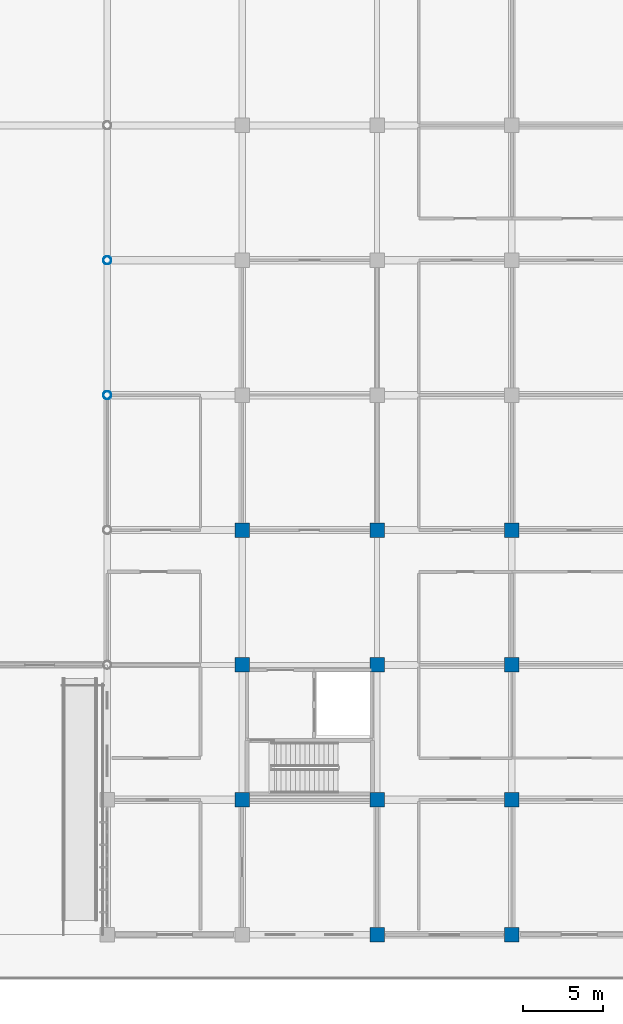
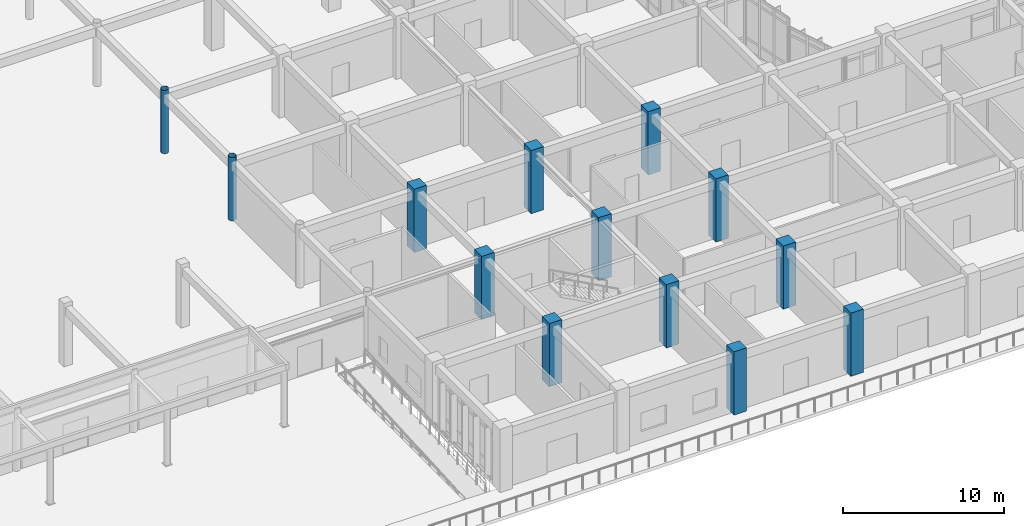
# One storey, part 6 of 138: 13 columns.
"""IFC4 building model written with IfcOpenShell, lengths in metres."""

from ifc_helpers import new_model, si_unit, direction, frame, origin, origin_2d, place, context, subcontext, project, spatial, rectangle, hollow_circle, extrude, material, material_profile, profile_set, type_object, element, save


model = new_model("IFC4")

# Units and contexts
model_context = context("Model", 3, precision=1e-05, world=origin(), true_north=direction((0.0, 1.0)))
body_context = subcontext(model_context, "Body", "Model", "MODEL_VIEW")
ifc_project = project(units=[si_unit("LENGTHUNIT", "METRE"), si_unit("AREAUNIT", "SQUARE_METRE"), si_unit("VOLUMEUNIT", "CUBIC_METRE"), si_unit("PLANEANGLEUNIT", "RADIAN"), si_unit("MASSUNIT", "GRAM", prefix="KILO")], contexts=[model_context])

# Site, building, storey
site_placement = place(None, origin())
site = spatial("IfcSite", under=ifc_project, at=site_placement, CompositionType="ELEMENT")
building_placement = place(site_placement, origin())
building = spatial("IfcBuilding", under=site, at=building_placement, Name="Bramfleet General Hospital", CompositionType="ELEMENT")
storey_placement = place(building_placement, origin())
storey = spatial("IfcBuildingStorey", under=building, at=storey_placement, Name="L00", CompositionType="ELEMENT", Elevation=0.0)

# Columns
ifc_material_1 = material(Name="Steel S355", Category="steel")
ifc_material_profile_1 = material_profile(ifc_material_1, hollow_circle(Radius=0.25390625, WallThickness=0.02001953125, at=origin_2d()), Name="CHS 508.0x20.0")
ifc_profile_set_1 = profile_set([ifc_material_profile_1], Name="Steel S355")
column_type_1 = type_object("IfcColumnType", Name="COL-CHS508", PredefinedType="COLUMN", material=ifc_profile_set_1)
for number, where, z_axis, x_axis, name in (
    (1, (92.39990234375, 33.60009765625, 0.0), (0.0, 0.0, 1.0), (1.0, 0.0, 0.0), "Column COL-L00-11-04"),
    (2, (92.39990234375, 42.0, 0.0), (0.0, 0.0, 1.0), (1.0, 0.0, 0.0), "Column COL-L00-11-05"),
):
    element("IfcColumn", number, at=place(storey_placement, frame(where, z_axis=z_axis, x_axis=x_axis)), inside=storey, type_object=column_type_1, Name=name, PredefinedType="COLUMN", context=body_context, shape_type="SweptSolid", body=[
        extrude(hollow_circle(Radius=0.25390625, WallThickness=0.02001953125, at=origin_2d()), origin(), (0.0, 0.0, 1.0), 4.800048828125),
    ])
ifc_material_2 = material(Name="Concrete C40/50", Category="concrete")
ifc_material_profile_2 = material_profile(ifc_material_2, rectangle(XDim=0.89990234375, YDim=0.89990234375, at=origin_2d()), Name="RC COL 900x900")
ifc_profile_set_2 = profile_set([ifc_material_profile_2], Name="Concrete C40/50")
column_type_2 = type_object("IfcColumnType", Name="COL-RC900", PredefinedType="COLUMN", material=ifc_profile_set_2)
for number, where, z_axis, x_axis, name in (
    (3, (100.800048828125, 8.39990234375, 0.0), (0.0, 0.0, 1.0), (1.0, 0.0, 0.0), "Column COL-L00-12-01"),
    (4, (100.800048828125, 16.800048828125, 0.0), (0.0, 0.0, 1.0), (1.0, 0.0, 0.0), "Column COL-L00-12-02"),
    (5, (100.800048828125, 25.199951171875, 0.0), (0.0, 0.0, 1.0), (1.0, 0.0, 0.0), "Column COL-L00-12-03"),
    (6, (109.199951171875, 0.0, 0.0), (0.0, 0.0, 1.0), (1.0, 0.0, 0.0), "Column COL-L00-13-00"),
    (7, (109.199951171875, 8.39990234375, 0.0), (0.0, 0.0, 1.0), (1.0, 0.0, 0.0), "Column COL-L00-13-01"),
    (8, (109.199951171875, 16.800048828125, 0.0), (0.0, 0.0, 1.0), (1.0, 0.0, 0.0), "Column COL-L00-13-02"),
    (9, (109.199951171875, 25.199951171875, 0.0), (0.0, 0.0, 1.0), (1.0, 0.0, 0.0), "Column COL-L00-13-03"),
    (10, (117.60009765625, 0.0, 0.0), (0.0, 0.0, 1.0), (1.0, 0.0, 0.0), "Column COL-L00-14-00"),
    (11, (117.60009765625, 8.39990234375, 0.0), (0.0, 0.0, 1.0), (1.0, 0.0, 0.0), "Column COL-L00-14-01"),
    (12, (117.60009765625, 16.800048828125, 0.0), (0.0, 0.0, 1.0), (1.0, 0.0, 0.0), "Column COL-L00-14-02"),
    (13, (117.60009765625, 25.199951171875, 0.0), (0.0, 0.0, 1.0), (1.0, 0.0, 0.0), "Column COL-L00-14-03"),
):
    element("IfcColumn", number, at=place(storey_placement, frame(where, z_axis=z_axis, x_axis=x_axis)), inside=storey, type_object=column_type_2, Name=name, PredefinedType="COLUMN", context=body_context, shape_type="SweptSolid", body=[
        extrude(rectangle(XDim=0.89990234375, YDim=0.89990234375, at=origin_2d()), origin(), (0.0, 0.0, 1.0), 4.800048828125),
    ])

save(model, "model.ifc")
